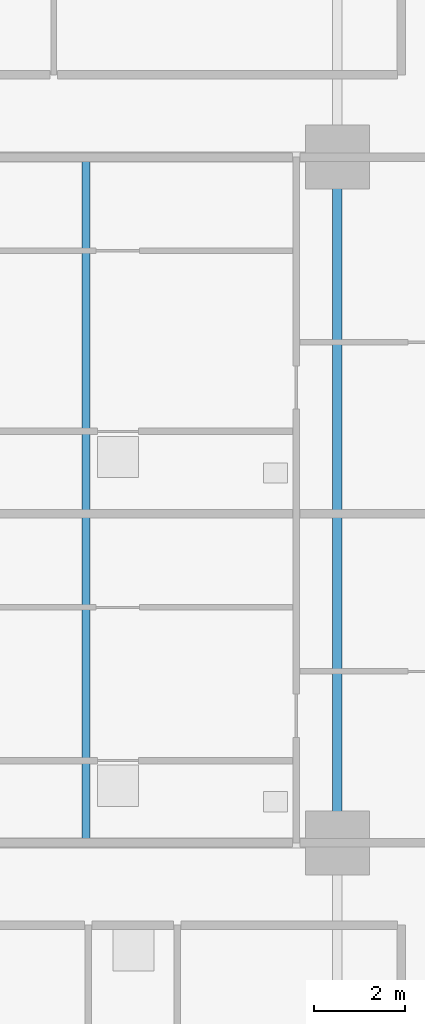
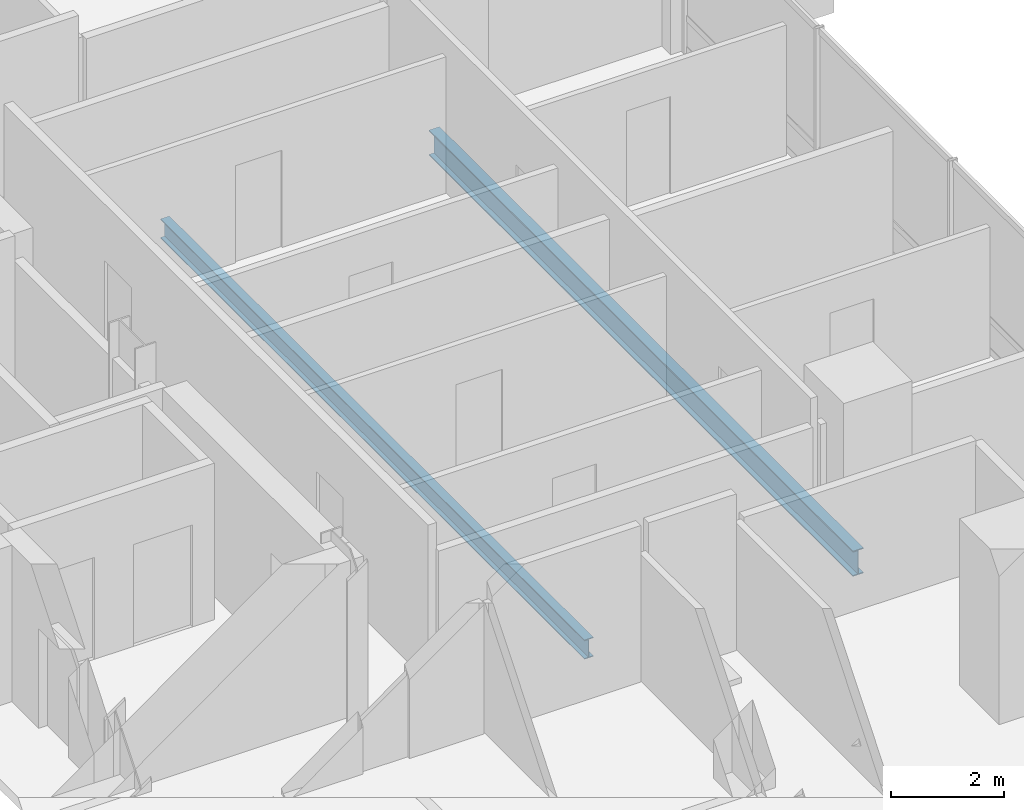
# One storey, part 9 of 24: 2 beams.
"""IFC4 building model written with IfcOpenShell, lengths in metres."""

from ifc_helpers import new_model, si_unit, direction, frame, origin, origin_2d, place, context, subcontext, project, spatial, i_section, extrude, material, material_profile, profile_set, type_object, element, save


model = new_model("IFC4")

# Units and contexts
model_context = context("Model", 3, precision=1e-05, world=origin(), true_north=direction((0.0, 1.0)))
body_context = subcontext(model_context, "Body", "Model", "MODEL_VIEW")
ifc_project = project(units=[si_unit("LENGTHUNIT", "METRE"), si_unit("AREAUNIT", "SQUARE_METRE"), si_unit("VOLUMEUNIT", "CUBIC_METRE"), si_unit("PLANEANGLEUNIT", "RADIAN"), si_unit("MASSUNIT", "GRAM", prefix="KILO")], contexts=[model_context])

# Site, building, storey
site_placement = place(None, origin())
site = spatial("IfcSite", under=ifc_project, at=site_placement, CompositionType="ELEMENT")
building_placement = place(site_placement, origin())
building = spatial("IfcBuilding", under=site, at=building_placement, Name="Barlavira Tower and Art Museum", CompositionType="ELEMENT")
storey_placement = place(building_placement, frame((0.0, 0.0, 32.39990234375)))
storey = spatial("IfcBuildingStorey", under=building, at=storey_placement, Name="L06", CompositionType="ELEMENT", Elevation=32.39990234375)

# Beams
ifc_material = material(Name="Steel S355", Category="steel")
ifc_material_profile_1 = material_profile(ifc_material, i_section(OverallWidth=0.180908203125, OverallDepth=0.4169921875, WebThickness=0.010986328125, FlangeThickness=0.018310546875, at=origin_2d()), Name="W410x85.0")
ifc_profile_set_1 = profile_set([ifc_material_profile_1], Name="Steel S355")
beam_type_1 = type_object("IfcBeamType", Name="Zone 1 Composite Floor Joist W410x85 Steel S355", PredefinedType="JOIST", material=ifc_profile_set_1)
beam_1_placement = place(storey_placement, frame((11.5, -7.5, -0.428466796875), z_axis=(0.0, 1.0, 0.0), x_axis=(-1.0, 0.0, 0.0)))
element("IfcBeam", 1, at=beam_1_placement, inside=storey, type_object=beam_type_1, Name="L06 Joist W2", PredefinedType="JOIST", context=body_context, shape_type="SweptSolid", body=[
    extrude(i_section(OverallWidth=0.180908203125, OverallDepth=0.4169921875, WebThickness=0.010986328125, FlangeThickness=0.018310546875, at=origin_2d()), origin(), (0.0, 0.0, 1.0), 15.0),
])
ifc_material_profile_2 = material_profile(ifc_material, i_section(OverallWidth=0.214111328125, OverallDepth=0.549072265625, WebThickness=0.0146484375, FlangeThickness=0.023681640625, at=origin_2d()), Name="W530x138.0")
ifc_profile_set_2 = profile_set([ifc_material_profile_2], Name="Steel S355")
beam_type_2 = type_object("IfcBeamType", Name="Zone 1 Primary Floor Girder W530x138 Steel S355", PredefinedType="BEAM", material=ifc_profile_set_2)
beam_2_placement = place(storey_placement, frame((17.0, -7.5, -0.494384765625), z_axis=(0.0, 1.0, 0.0), x_axis=(-1.0, 0.0, 0.0)))
element("IfcBeam", 2, at=beam_2_placement, inside=storey, type_object=beam_type_2, Name="L06 Girder M-E2", PredefinedType="BEAM", context=body_context, shape_type="SweptSolid", body=[
    extrude(i_section(OverallWidth=0.214111328125, OverallDepth=0.549072265625, WebThickness=0.0146484375, FlangeThickness=0.023681640625, at=origin_2d()), origin(), (0.0, 0.0, 1.0), 15.0),
])

save(model, "model.ifc")
